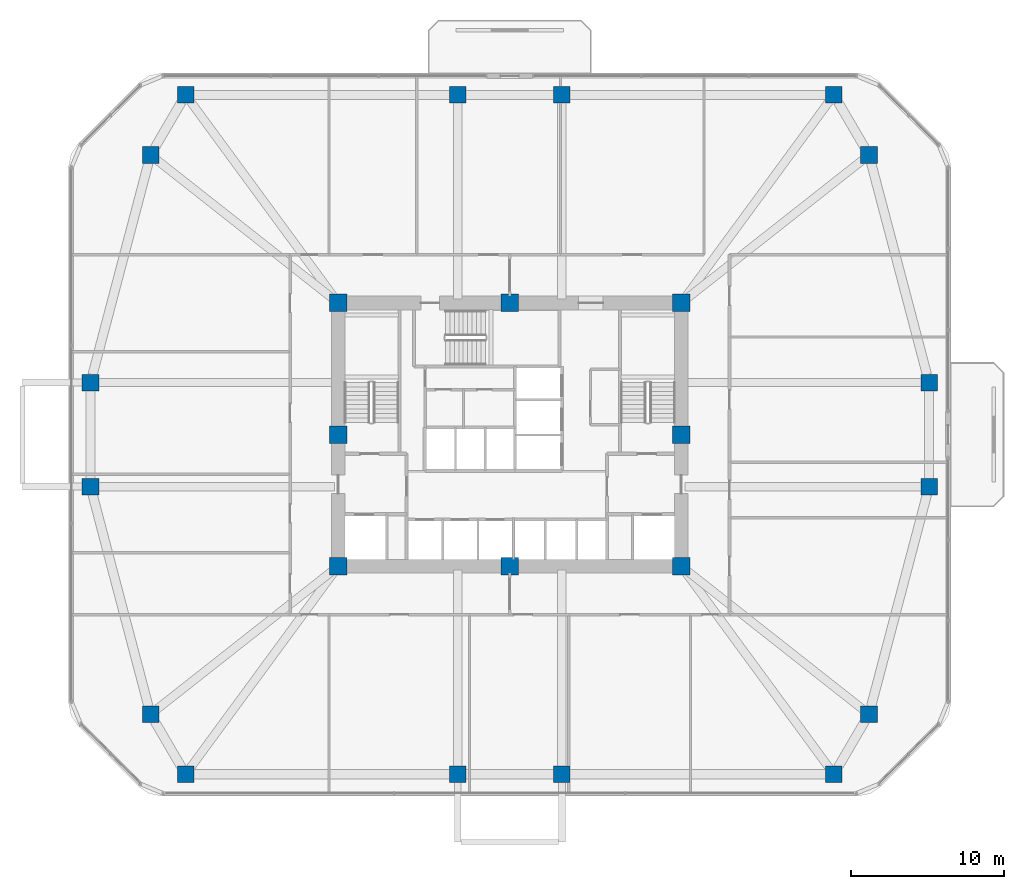
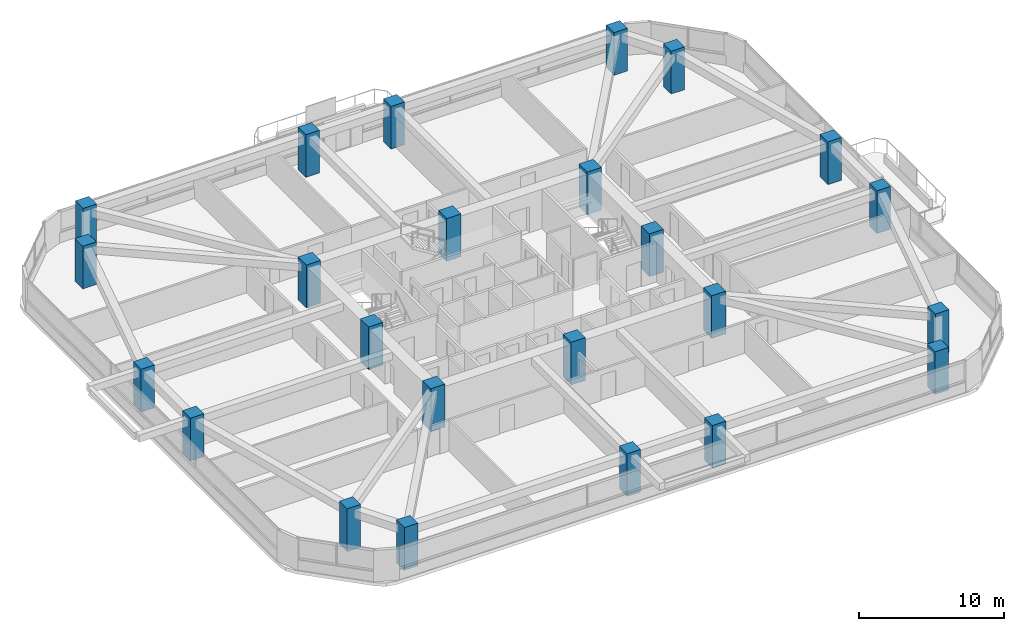
# One storey, part 1 of 13: 24 columns.
"""IFC4 building model written with IfcOpenShell, lengths in metres."""

import ifcopenshell
import ifcopenshell.guid

model = None  # the IFC model being written
_history = None  # IfcOwnerHistory: only IFC2X3 demands one
_inside = {}  # id of a spatial element -> (the spatial element, [elements in it])
_under = {}  # id of a project, library or spatial element -> (it, [spatial elements below it])
_declared = {}  # id of a project -> (the project, [libraries it declares])
_typed = {}  # id of a type object -> (the type object, [elements of that type])
_made_of = {}  # id of a material, layer set ... -> (it, [elements and type objects made of it])


def new_model(schema):
    """Start an empty IFC model of exactly this schema.

    Asked for "IFC4X3", IfcOpenShell would pick the latest addendum, in which some entities
    have other attributes; the version numbers below select the first issue.
    IFC2X3 requires an IfcOwnerHistory on every rooted entity: one is made here for all.
    """
    global model, _history
    if schema == "IFC4X3":
        model = ifcopenshell.file(schema_version=(4, 3, 0, 0))
    else:
        model = ifcopenshell.file(schema=schema)
    _inside.clear()
    _under.clear()
    _declared.clear()
    _typed.clear()
    _made_of.clear()
    _history = None
    if model.schema == "IFC2X3":
        org = make("IfcOrganization", Name="unknown")
        user = make(
            "IfcPersonAndOrganization",
            ThePerson=make("IfcPerson", FamilyName="unknown"),
            TheOrganization=org,
        )
        app = make(
            "IfcApplication",
            ApplicationDeveloper=org,
            Version="unknown",
            ApplicationFullName="unknown",
            ApplicationIdentifier="unknown",
        )
        _history = make(
            "IfcOwnerHistory",
            OwningUser=user,
            OwningApplication=app,
            ChangeAction="ADDED",
            CreationDate=0,
        )
    return model


def make(cls, **values):
    """One entity of the class cls with the attributes given. An attribute that is None is left unset."""
    return model.create_entity(
        cls, **{name: value for name, value in values.items() if value is not None}
    )


def rooted(cls, **values):
    """An entity with a GlobalId (a new one), such as an element, a storey or a relation."""
    return make(cls, GlobalId=ifcopenshell.guid.new(), OwnerHistory=_history, **values)


def si_unit(unit_type, name, prefix=None):
    """IfcSIUnit, for example si_unit("LENGTHUNIT", "METRE", prefix="MILLI")."""
    return make("IfcSIUnit", UnitType=unit_type, Prefix=prefix, Name=name)


def derived_unit(unit_type, elements):
    """IfcDerivedUnit: a product of units, each with its exponent."""
    return make(
        "IfcDerivedUnit",
        Elements=[
            make("IfcDerivedUnitElement", Unit=unit, Exponent=power)
            for unit, power in elements
        ],
        UnitType=unit_type,
    )


def assignment(units):
    """IfcUnitAssignment: the units of a project."""
    return None if units is None else make("IfcUnitAssignment", Units=units)


def point(xyz):
    """IfcCartesianPoint."""
    return None if xyz is None else make("IfcCartesianPoint", Coordinates=xyz)


def direction(xyz):
    """IfcDirection."""
    return None if xyz is None else make("IfcDirection", DirectionRatios=xyz)


def frame(location, z_axis=None, x_axis=None):
    """IfcAxis2Placement3D, a coordinate frame: its origin and axes. An axis left out is left unset."""
    return make(
        "IfcAxis2Placement3D",
        Location=point(location),
        Axis=direction(z_axis),
        RefDirection=direction(x_axis),
    )


def frame_2d(location, x_axis=None):
    """IfcAxis2Placement2D, a coordinate frame in the plane: its origin and x axis."""
    return make(
        "IfcAxis2Placement2D", Location=point(location), RefDirection=direction(x_axis)
    )


def origin():
    """The frame at (0, 0, 0) with its axes left unset."""
    return frame((0.0, 0.0, 0.0))


def origin_2d():
    """The frame at (0, 0) in the plane with its x axis left unset."""
    return frame_2d((0.0, 0.0))


def place(relative_to, where):
    """IfcLocalPlacement: puts the frame where relative to a parent placement (None: the world)."""
    return make(
        "IfcLocalPlacement", PlacementRelTo=relative_to, RelativePlacement=where
    )


def context(
    kind, dimensions, precision=None, world=None, true_north=None, identifier=None
):
    """IfcGeometricRepresentationContext, for example the 3D "Model" context."""
    return make(
        "IfcGeometricRepresentationContext",
        ContextIdentifier=identifier,
        ContextType=kind,
        CoordinateSpaceDimension=dimensions,
        Precision=precision,
        WorldCoordinateSystem=world,
        TrueNorth=true_north,
    )


def subcontext(parent, identifier, kind, view, scale=None):
    """IfcGeometricRepresentationSubContext, for example "Body" below "Model"."""
    return make(
        "IfcGeometricRepresentationSubContext",
        ContextIdentifier=identifier,
        ContextType=kind,
        ParentContext=parent,
        TargetScale=scale,
        TargetView=view,
    )


def project(units=None, contexts=None):
    """IfcProject with its units and contexts."""
    return rooted(
        "IfcProject",
        Name="project",
        RepresentationContexts=contexts,
        UnitsInContext=assignment(units),
    )


def spatial(cls, under=None, at=None, **own):
    """A site, building, storey or space (cls), placed at a placement, below another one or the project."""
    s = rooted(cls, ObjectPlacement=at, **own)
    if under is not None:
        _under.setdefault(under.id(), (under, []))[1].append(s)
    return s


def profile(cls, at=None, kind="AREA", **sizes):
    """A parametric profile (cls). Its sizes go by their IFC names, for example OverallWidth=200.0."""
    return make(cls, ProfileType=kind, Position=at, **sizes)


def rectangle(**sizes):
    """IfcRectangleProfileDef."""
    return profile("IfcRectangleProfileDef", **sizes)


def extrude(swept, where, along, depth):
    """IfcExtrudedAreaSolid: the profile swept, set in the frame where, extruded along a direction by depth."""
    return make(
        "IfcExtrudedAreaSolid",
        SweptArea=swept,
        Position=where,
        ExtrudedDirection=direction(along),
        Depth=depth,
    )


def shape(context_of_items, identifier, shape_type, items):
    """IfcShapeRepresentation: the items that make up one representation, for example the "Body"."""
    return make(
        "IfcShapeRepresentation",
        ContextOfItems=context_of_items,
        RepresentationIdentifier=identifier,
        RepresentationType=shape_type,
        Items=items,
    )


def material(Name=None, Category=None):
    """IfcMaterial."""
    return make("IfcMaterial", Name=Name, Category=Category)


def material_profile(
    of_material, cross_section, Name=None, Category=None, Priority=None
):
    """IfcMaterialProfile: a cross section and its material."""
    return make(
        "IfcMaterialProfile",
        Name=Name,
        Material=of_material,
        Profile=cross_section,
        Priority=Priority,
        Category=Category,
    )


def profile_set(profiles, Name=None, composite=None):
    """IfcMaterialProfileSet."""
    return make(
        "IfcMaterialProfileSet",
        Name=Name,
        MaterialProfiles=profiles,
        CompositeProfile=composite,
    )


def made_of(thing, what):
    """Note that an element or type object is made of a material, layer set ...; save() writes the relation."""
    if what is not None:
        _made_of.setdefault(what.id(), (what, []))[1].append(thing)
    return thing


def type_object(cls, material=None, **own):
    """A type object (cls), such as IfcWallType, which elements share."""
    return made_of(rooted(cls, **own), material)


def element(
    cls,
    number,
    at=None,
    inside=None,
    cuts=None,
    type_object=None,
    material=None,
    context=None,
    identifier="Body",
    shape_type=None,
    held_by="IfcProductDefinitionShape",
    body=None,
    shapes=None,
    **own,
):
    """One element of the class cls, such as IfcWall. Its Tag is "e" and its number.

    at: its placement. inside: the storey or other place that contains it. cuts: it is an
    opening in that element (IfcRelVoidsElement). A single representation is given by context,
    identifier, shape_type and body (its items); several are given by shapes. held_by: the class
    of the entity that holds the representations. save() writes the other relations.
    """
    e = rooted(cls, Tag="e%d" % number, ObjectPlacement=at, **own)
    if body is not None:
        shapes = [shape(context, identifier, shape_type, body)]
    if shapes is not None:
        e.Representation = make(held_by, Representations=shapes)
    if inside is not None:
        _inside.setdefault(inside.id(), (inside, []))[1].append(e)
    if cuts is not None:
        rooted(
            "IfcRelVoidsElement", RelatingBuildingElement=cuts, RelatedOpeningElement=e
        )
    if type_object is not None:
        _typed.setdefault(type_object.id(), (type_object, []))[1].append(e)
    return made_of(e, material)


def aggregate(whole, parts):
    """IfcRelAggregates: a whole, such as a stair, and the parts it consists of."""
    return rooted("IfcRelAggregates", RelatingObject=whole, RelatedObjects=parts)


def save(model, path):
    """Write the relations noted so far, then the file.

    IfcRelAggregates (storeys below a building ...), IfcRelContainedInSpatialStructure (elements
    in a storey), IfcRelDefinesByType, IfcRelAssociatesMaterial and IfcRelDeclares: one each for
    every whole, place, type object, material and project.
    """
    for whole, parts in _under.values():
        aggregate(whole, parts)
    for where, things in _inside.values():
        rooted(
            "IfcRelContainedInSpatialStructure",
            RelatedElements=things,
            RelatingStructure=where,
        )
    for kind, things in _typed.values():
        rooted("IfcRelDefinesByType", RelatedObjects=things, RelatingType=kind)
    for what, things in _made_of.values():
        rooted("IfcRelAssociatesMaterial", RelatedObjects=things, RelatingMaterial=what)
    for by, libraries in _declared.values():
        rooted("IfcRelDeclares", RelatingContext=by, RelatedDefinitions=libraries)
    model.write(path)


model = new_model("IFC4")

# Units and contexts
model_context = context("Model", 3, precision=1e-05, world=origin(), true_north=direction((0.0, 1.0)))
body_context = subcontext(model_context, "Body", "Model", "MODEL_VIEW")
ifc_project = project(units=[si_unit("LENGTHUNIT", "METRE"), si_unit("AREAUNIT", "SQUARE_METRE"), si_unit("VOLUMEUNIT", "CUBIC_METRE"), si_unit("PLANEANGLEUNIT", "RADIAN"), si_unit("MASSUNIT", "GRAM", prefix="KILO"), derived_unit("THERMALTRANSMITTANCEUNIT", [(si_unit("POWERUNIT", "WATT"), 1), (si_unit("LENGTHUNIT", "METRE"), -2), (si_unit("THERMODYNAMICTEMPERATUREUNIT", "KELVIN"), -1)])], contexts=[model_context])

# Site, building, storey
site_placement = place(None, origin())
site = spatial("IfcSite", under=ifc_project, at=site_placement, CompositionType="ELEMENT")
building_placement = place(site_placement, origin())
building = spatial("IfcBuilding", under=site, at=building_placement, Name="Koralith Skygarden Medical Center", CompositionType="ELEMENT")
storey_placement = place(building_placement, frame((0.0, 0.0, 59.93994140625)))
storey = spatial("IfcBuildingStorey", under=building, at=storey_placement, Name="L15", CompositionType="ELEMENT", Elevation=59.93994140625)

# Columns
ifc_material = material(Name="Concrete C70/85", Category="concrete")
ifc_material_profile_1 = material_profile(ifc_material, rectangle(XDim=1.139892578125, YDim=1.139892578125, at=origin_2d()), Name="RC1140X1140")
ifc_profile_set_1 = profile_set([ifc_material_profile_1], Name="Concrete C70/85")
column_type_1 = type_object("IfcColumnType", Name="Core Mega-Column C70 RC1140", PredefinedType="COLUMN", material=ifc_profile_set_1)
for number, where, z_axis, x_axis, name in (
    (1, (25.800048828125, 17.300048828125, 0.0), (0.0, 0.0, 1.0), (1.0, 0.0, 0.0), "L15 Core Column CC-01"),
    (2, (37.0, 17.300048828125, 0.0), (0.0, 0.0, 1.0), (1.0, 0.0, 0.0), "L15 Core Column CC-02"),
    (3, (48.199951171875, 17.300048828125, 0.0), (0.0, 0.0, 1.0), (1.0, 0.0, 0.0), "L15 Core Column CC-03"),
    (4, (48.199951171875, 25.89990234375, 0.0), (0.0, 0.0, 1.0), (1.0, 0.0, 0.0), "L15 Core Column CC-04"),
    (5, (48.199951171875, 34.5, 0.0), (0.0, 0.0, 1.0), (1.0, 0.0, 0.0), "L15 Core Column CC-05"),
    (6, (37.0, 34.5, 0.0), (0.0, 0.0, 1.0), (1.0, 0.0, 0.0), "L15 Core Column CC-06"),
    (7, (25.800048828125, 34.5, 0.0), (0.0, 0.0, 1.0), (1.0, 0.0, 0.0), "L15 Core Column CC-07"),
    (8, (25.800048828125, 25.89990234375, 0.0), (0.0, 0.0, 1.0), (1.0, 0.0, 0.0), "L15 Core Column CC-08"),
):
    element("IfcColumn", number, at=place(storey_placement, frame(where, z_axis=z_axis, x_axis=x_axis)), inside=storey, type_object=column_type_1, Name=name, PredefinedType="COLUMN", context=body_context, shape_type="SweptSolid", body=[
        extrude(rectangle(XDim=1.139892578125, YDim=1.139892578125, at=origin_2d()), origin(), (0.0, 0.0, 1.0), 3.60009765625),
    ])
ifc_material_profile_2 = material_profile(ifc_material, rectangle(XDim=1.080078125, YDim=1.080078125, at=origin_2d()), Name="RC1080X1080")
ifc_profile_set_2 = profile_set([ifc_material_profile_2], Name="Concrete C70/85")
column_type_2 = type_object("IfcColumnType", Name="Zone 1 Octagonal Mega-Column C70 RC1080", PredefinedType="COLUMN", material=ifc_profile_set_2)
for number, where, z_axis, x_axis, name in (
    (9, (9.6201171875, 22.5, 0.0), (0.0, 0.0, 1.0), (1.0, 0.0, 0.0), "L15 Perimeter Mega-Column MC-01"),
    (10, (13.5400390625, 7.639892578125, 0.0), (0.0, 0.0, 1.0), (1.0, 0.0, 0.0), "L15 Perimeter Mega-Column MC-02"),
    (11, (15.83203125, 3.719970703125, 0.0), (0.0, 0.0, 1.0), (1.0, 0.0, 0.0), "L15 Perimeter Mega-Column MC-03"),
    (12, (33.60009765625, 3.719970703125, 0.0), (0.0, 0.0, 1.0), (1.0, 0.0, 0.0), "L15 Perimeter Mega-Column MC-04"),
    (13, (40.39990234375, 3.719970703125, 0.0), (0.0, 0.0, 1.0), (1.0, 0.0, 0.0), "L15 Perimeter Mega-Column MC-05"),
    (14, (58.16796875, 3.719970703125, 0.0), (0.0, 0.0, 1.0), (1.0, 0.0, 0.0), "L15 Perimeter Mega-Column MC-06"),
    (15, (60.4599609375, 7.639892578125, 0.0), (0.0, 0.0, 1.0), (1.0, 0.0, 0.0), "L15 Perimeter Mega-Column MC-07"),
    (16, (64.3798828125, 22.5, 0.0), (0.0, 0.0, 1.0), (1.0, 0.0, 0.0), "L15 Perimeter Mega-Column MC-08"),
    (17, (64.3798828125, 29.300048828125, 0.0), (0.0, 0.0, 1.0), (1.0, 0.0, 0.0), "L15 Perimeter Mega-Column MC-09"),
    (18, (60.4599609375, 44.159912109375, 0.0), (0.0, 0.0, 1.0), (1.0, 0.0, 0.0), "L15 Perimeter Mega-Column MC-10"),
    (19, (58.16796875, 48.080078125, 0.0), (0.0, 0.0, 1.0), (1.0, 0.0, 0.0), "L15 Perimeter Mega-Column MC-11"),
    (20, (40.39990234375, 48.080078125, 0.0), (0.0, 0.0, 1.0), (1.0, 0.0, 0.0), "L15 Perimeter Mega-Column MC-12"),
    (21, (33.60009765625, 48.080078125, 0.0), (0.0, 0.0, 1.0), (1.0, 0.0, 0.0), "L15 Perimeter Mega-Column MC-13"),
    (22, (15.83203125, 48.080078125, 0.0), (0.0, 0.0, 1.0), (1.0, 0.0, 0.0), "L15 Perimeter Mega-Column MC-14"),
    (23, (13.5400390625, 44.159912109375, 0.0), (0.0, 0.0, 1.0), (1.0, 0.0, 0.0), "L15 Perimeter Mega-Column MC-15"),
    (24, (9.6201171875, 29.300048828125, 0.0), (0.0, 0.0, 1.0), (1.0, 0.0, 0.0), "L15 Perimeter Mega-Column MC-16"),
):
    element("IfcColumn", number, at=place(storey_placement, frame(where, z_axis=z_axis, x_axis=x_axis)), inside=storey, type_object=column_type_2, Name=name, PredefinedType="COLUMN", context=body_context, shape_type="SweptSolid", body=[
        extrude(rectangle(XDim=1.080078125, YDim=1.080078125, at=origin_2d()), origin(), (0.0, 0.0, 1.0), 3.60009765625),
    ])

save(model, "model.ifc")
